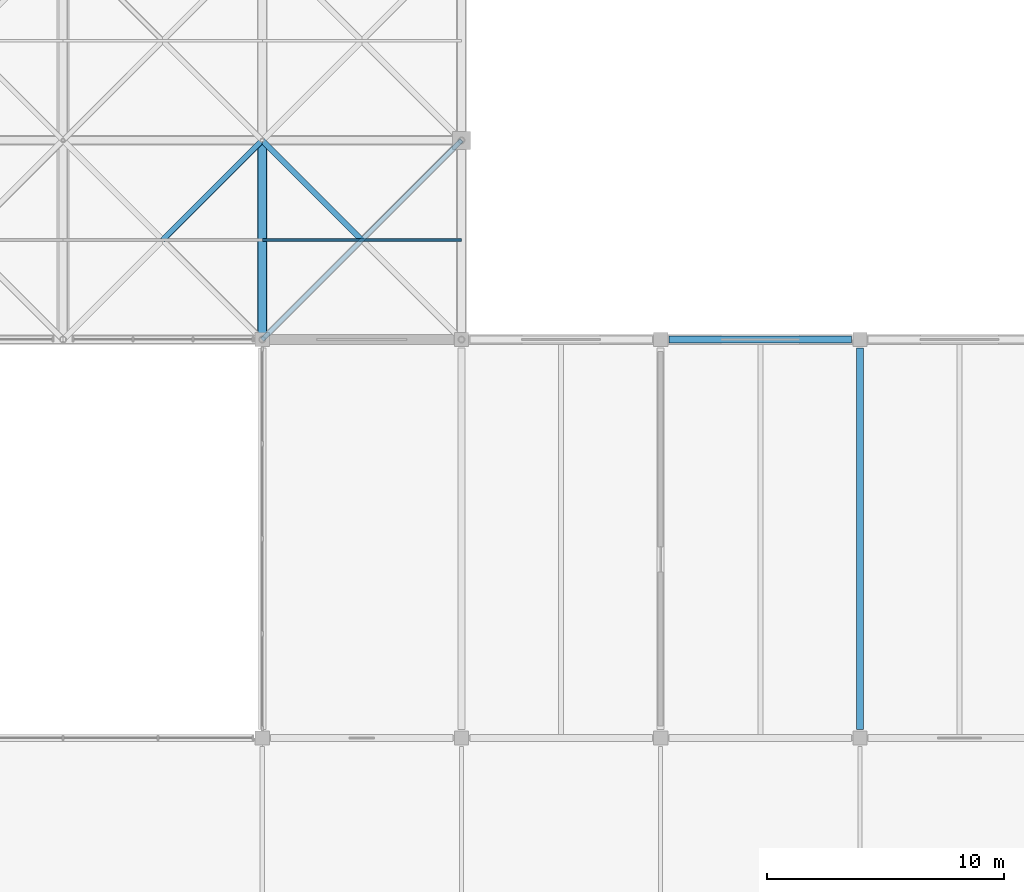
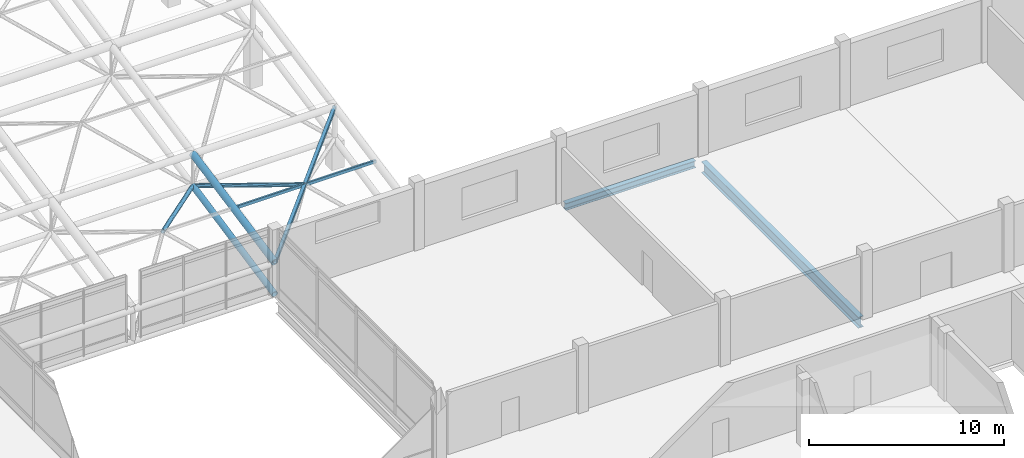
# One storey, part 23 of 81: 6 members, 2 beams.
"""IFC4 building model written with IfcOpenShell, lengths in metres."""

import ifcopenshell
import ifcopenshell.guid

model = None  # the IFC model being written
_history = None  # IfcOwnerHistory: only IFC2X3 demands one
_inside = {}  # id of a spatial element -> (the spatial element, [elements in it])
_under = {}  # id of a project, library or spatial element -> (it, [spatial elements below it])
_declared = {}  # id of a project -> (the project, [libraries it declares])
_typed = {}  # id of a type object -> (the type object, [elements of that type])
_made_of = {}  # id of a material, layer set ... -> (it, [elements and type objects made of it])


def new_model(schema):
    """Start an empty IFC model of exactly this schema.

    Asked for "IFC4X3", IfcOpenShell would pick the latest addendum, in which some entities
    have other attributes; the version numbers below select the first issue.
    IFC2X3 requires an IfcOwnerHistory on every rooted entity: one is made here for all.
    """
    global model, _history
    if schema == "IFC4X3":
        model = ifcopenshell.file(schema_version=(4, 3, 0, 0))
    else:
        model = ifcopenshell.file(schema=schema)
    _inside.clear()
    _under.clear()
    _declared.clear()
    _typed.clear()
    _made_of.clear()
    _history = None
    if model.schema == "IFC2X3":
        org = make("IfcOrganization", Name="unknown")
        user = make(
            "IfcPersonAndOrganization",
            ThePerson=make("IfcPerson", FamilyName="unknown"),
            TheOrganization=org,
        )
        app = make(
            "IfcApplication",
            ApplicationDeveloper=org,
            Version="unknown",
            ApplicationFullName="unknown",
            ApplicationIdentifier="unknown",
        )
        _history = make(
            "IfcOwnerHistory",
            OwningUser=user,
            OwningApplication=app,
            ChangeAction="ADDED",
            CreationDate=0,
        )
    return model


def make(cls, **values):
    """One entity of the class cls with the attributes given. An attribute that is None is left unset."""
    return model.create_entity(
        cls, **{name: value for name, value in values.items() if value is not None}
    )


def rooted(cls, **values):
    """An entity with a GlobalId (a new one), such as an element, a storey or a relation."""
    return make(cls, GlobalId=ifcopenshell.guid.new(), OwnerHistory=_history, **values)


def si_unit(unit_type, name, prefix=None):
    """IfcSIUnit, for example si_unit("LENGTHUNIT", "METRE", prefix="MILLI")."""
    return make("IfcSIUnit", UnitType=unit_type, Prefix=prefix, Name=name)


def assignment(units):
    """IfcUnitAssignment: the units of a project."""
    return None if units is None else make("IfcUnitAssignment", Units=units)


def point(xyz):
    """IfcCartesianPoint."""
    return None if xyz is None else make("IfcCartesianPoint", Coordinates=xyz)


def direction(xyz):
    """IfcDirection."""
    return None if xyz is None else make("IfcDirection", DirectionRatios=xyz)


def frame(location, z_axis=None, x_axis=None):
    """IfcAxis2Placement3D, a coordinate frame: its origin and axes. An axis left out is left unset."""
    return make(
        "IfcAxis2Placement3D",
        Location=point(location),
        Axis=direction(z_axis),
        RefDirection=direction(x_axis),
    )


def frame_2d(location, x_axis=None):
    """IfcAxis2Placement2D, a coordinate frame in the plane: its origin and x axis."""
    return make(
        "IfcAxis2Placement2D", Location=point(location), RefDirection=direction(x_axis)
    )


def origin():
    """The frame at (0, 0, 0) with its axes left unset."""
    return frame((0.0, 0.0, 0.0))


def origin_2d():
    """The frame at (0, 0) in the plane with its x axis left unset."""
    return frame_2d((0.0, 0.0))


def place(relative_to, where):
    """IfcLocalPlacement: puts the frame where relative to a parent placement (None: the world)."""
    return make(
        "IfcLocalPlacement", PlacementRelTo=relative_to, RelativePlacement=where
    )


def context(
    kind, dimensions, precision=None, world=None, true_north=None, identifier=None
):
    """IfcGeometricRepresentationContext, for example the 3D "Model" context."""
    return make(
        "IfcGeometricRepresentationContext",
        ContextIdentifier=identifier,
        ContextType=kind,
        CoordinateSpaceDimension=dimensions,
        Precision=precision,
        WorldCoordinateSystem=world,
        TrueNorth=true_north,
    )


def subcontext(parent, identifier, kind, view, scale=None):
    """IfcGeometricRepresentationSubContext, for example "Body" below "Model"."""
    return make(
        "IfcGeometricRepresentationSubContext",
        ContextIdentifier=identifier,
        ContextType=kind,
        ParentContext=parent,
        TargetScale=scale,
        TargetView=view,
    )


def project(units=None, contexts=None):
    """IfcProject with its units and contexts."""
    return rooted(
        "IfcProject",
        Name="project",
        RepresentationContexts=contexts,
        UnitsInContext=assignment(units),
    )


def spatial(cls, under=None, at=None, **own):
    """A site, building, storey or space (cls), placed at a placement, below another one or the project."""
    s = rooted(cls, ObjectPlacement=at, **own)
    if under is not None:
        _under.setdefault(under.id(), (under, []))[1].append(s)
    return s


def profile(cls, at=None, kind="AREA", **sizes):
    """A parametric profile (cls). Its sizes go by their IFC names, for example OverallWidth=200.0."""
    return make(cls, ProfileType=kind, Position=at, **sizes)


def hollow_rectangle(**sizes):
    """IfcRectangleHollowProfileDef."""
    return profile("IfcRectangleHollowProfileDef", **sizes)


def hollow_circle(**sizes):
    """IfcCircleHollowProfileDef."""
    return profile("IfcCircleHollowProfileDef", **sizes)


def i_section(**sizes):
    """IfcIShapeProfileDef."""
    return profile("IfcIShapeProfileDef", **sizes)


def extrude(swept, where, along, depth):
    """IfcExtrudedAreaSolid: the profile swept, set in the frame where, extruded along a direction by depth."""
    return make(
        "IfcExtrudedAreaSolid",
        SweptArea=swept,
        Position=where,
        ExtrudedDirection=direction(along),
        Depth=depth,
    )


def shape(context_of_items, identifier, shape_type, items):
    """IfcShapeRepresentation: the items that make up one representation, for example the "Body"."""
    return make(
        "IfcShapeRepresentation",
        ContextOfItems=context_of_items,
        RepresentationIdentifier=identifier,
        RepresentationType=shape_type,
        Items=items,
    )


def material(Name=None, Category=None):
    """IfcMaterial."""
    return make("IfcMaterial", Name=Name, Category=Category)


def material_profile(
    of_material, cross_section, Name=None, Category=None, Priority=None
):
    """IfcMaterialProfile: a cross section and its material."""
    return make(
        "IfcMaterialProfile",
        Name=Name,
        Material=of_material,
        Profile=cross_section,
        Priority=Priority,
        Category=Category,
    )


def profile_set(profiles, Name=None, composite=None):
    """IfcMaterialProfileSet."""
    return make(
        "IfcMaterialProfileSet",
        Name=Name,
        MaterialProfiles=profiles,
        CompositeProfile=composite,
    )


def made_of(thing, what):
    """Note that an element or type object is made of a material, layer set ...; save() writes the relation."""
    if what is not None:
        _made_of.setdefault(what.id(), (what, []))[1].append(thing)
    return thing


def type_object(cls, material=None, **own):
    """A type object (cls), such as IfcWallType, which elements share."""
    return made_of(rooted(cls, **own), material)


def element(
    cls,
    number,
    at=None,
    inside=None,
    cuts=None,
    type_object=None,
    material=None,
    context=None,
    identifier="Body",
    shape_type=None,
    held_by="IfcProductDefinitionShape",
    body=None,
    shapes=None,
    **own,
):
    """One element of the class cls, such as IfcWall. Its Tag is "e" and its number.

    at: its placement. inside: the storey or other place that contains it. cuts: it is an
    opening in that element (IfcRelVoidsElement). A single representation is given by context,
    identifier, shape_type and body (its items); several are given by shapes. held_by: the class
    of the entity that holds the representations. save() writes the other relations.
    """
    e = rooted(cls, Tag="e%d" % number, ObjectPlacement=at, **own)
    if body is not None:
        shapes = [shape(context, identifier, shape_type, body)]
    if shapes is not None:
        e.Representation = make(held_by, Representations=shapes)
    if inside is not None:
        _inside.setdefault(inside.id(), (inside, []))[1].append(e)
    if cuts is not None:
        rooted(
            "IfcRelVoidsElement", RelatingBuildingElement=cuts, RelatedOpeningElement=e
        )
    if type_object is not None:
        _typed.setdefault(type_object.id(), (type_object, []))[1].append(e)
    return made_of(e, material)


def aggregate(whole, parts):
    """IfcRelAggregates: a whole, such as a stair, and the parts it consists of."""
    return rooted("IfcRelAggregates", RelatingObject=whole, RelatedObjects=parts)


def save(model, path):
    """Write the relations noted so far, then the file.

    IfcRelAggregates (storeys below a building ...), IfcRelContainedInSpatialStructure (elements
    in a storey), IfcRelDefinesByType, IfcRelAssociatesMaterial and IfcRelDeclares: one each for
    every whole, place, type object, material and project.
    """
    for whole, parts in _under.values():
        aggregate(whole, parts)
    for where, things in _inside.values():
        rooted(
            "IfcRelContainedInSpatialStructure",
            RelatedElements=things,
            RelatingStructure=where,
        )
    for kind, things in _typed.values():
        rooted("IfcRelDefinesByType", RelatedObjects=things, RelatingType=kind)
    for what, things in _made_of.values():
        rooted("IfcRelAssociatesMaterial", RelatedObjects=things, RelatingMaterial=what)
    for by, libraries in _declared.values():
        rooted("IfcRelDeclares", RelatingContext=by, RelatedDefinitions=libraries)
    model.write(path)


model = new_model("IFC4")

# Units and contexts
model_context = context("Model", 3, precision=1e-05, world=origin(), true_north=direction((0.0, 1.0)))
body_context = subcontext(model_context, "Body", "Model", "MODEL_VIEW")
ifc_project = project(units=[si_unit("LENGTHUNIT", "METRE"), si_unit("AREAUNIT", "SQUARE_METRE"), si_unit("VOLUMEUNIT", "CUBIC_METRE"), si_unit("PLANEANGLEUNIT", "RADIAN"), si_unit("MASSUNIT", "GRAM", prefix="KILO")], contexts=[model_context])

# Site, building, storey
site_placement = place(None, origin())
site = spatial("IfcSite", under=ifc_project, at=site_placement, CompositionType="ELEMENT")
building_placement = place(site_placement, origin())
building = spatial("IfcBuilding", under=site, at=building_placement, Name="Qawsi Khor Wholesale Market", CompositionType="ELEMENT")
storey_placement = place(building_placement, frame((0.0, 0.0, 16.199951171875)))
storey = spatial("IfcBuildingStorey", under=building, at=storey_placement, Name="L03", CompositionType="ELEMENT", Elevation=16.199951171875)

# Beams
ifc_material = material(Name="Steel S355", Category="steel")
ifc_material_profile_1 = material_profile(ifc_material, i_section(OverallWidth=0.300048828125, OverallDepth=0.43994140625, WebThickness=0.011474609375, FlangeThickness=0.02099609375, FilletRadius=0.027099609375, at=origin_2d()), Name="HEA 450")
ifc_profile_set_1 = profile_set([ifc_material_profile_1], Name="Steel S355")
beam_type_1 = type_object("IfcBeamType", Name="Primary Girder HEA 450", PredefinedType="BEAM", material=ifc_profile_set_1)
beam_1_placement = place(storey_placement, frame((84.35009765625, 42.0, -0.5), z_axis=(1.0, 0.0, 0.0), x_axis=(0.0, 1.0, 0.0)))
element("IfcBeam", 1, at=beam_1_placement, inside=storey, type_object=beam_type_1, Name="BM-X-L03-10_+05", PredefinedType="BEAM", context=body_context, shape_type="SweptSolid", body=[
    extrude(i_section(OverallWidth=0.300048828125, OverallDepth=0.43994140625, WebThickness=0.011474609375, FlangeThickness=0.02099609375, FilletRadius=0.027099609375, at=origin_2d()), origin(), (0.0, 0.0, 1.0), 7.699951171875),
])
ifc_material_profile_2 = material_profile(ifc_material, i_section(OverallWidth=0.300048828125, OverallDepth=0.68994140625, WebThickness=0.014404296875, FlangeThickness=0.027099609375, FilletRadius=0.027099609375, at=origin_2d()), Name="HEA 700")
ifc_profile_set_2 = profile_set([ifc_material_profile_2], Name="Steel S355")
beam_type_2 = type_object("IfcBeamType", Name="Primary Girder HEA 700", PredefinedType="BEAM", material=ifc_profile_set_2)
beam_2_placement = place(storey_placement, frame((92.39990234375, 25.550048828125, -0.625), z_axis=(0.0, 1.0, 0.0), x_axis=(-1.0, 0.0, 0.0)))
element("IfcBeam", 2, at=beam_2_placement, inside=storey, type_object=beam_type_2, Name="BM-YL-L03-11_+03", PredefinedType="BEAM", context=body_context, shape_type="SweptSolid", body=[
    extrude(i_section(OverallWidth=0.300048828125, OverallDepth=0.68994140625, WebThickness=0.014404296875, FlangeThickness=0.027099609375, FilletRadius=0.027099609375, at=origin_2d()), origin(), (0.0, 0.0, 1.0), 16.099853515625),
])

# Members
ifc_material_profile_3 = material_profile(ifc_material, hollow_rectangle(XDim=0.199951171875, YDim=0.199951171875, WallThickness=0.010009765625, InnerFilletRadius=0.010009765625, OuterFilletRadius=0.02001953125, at=origin_2d()), Name="SHS 200x200x10.0")
ifc_profile_set_3 = profile_set([ifc_material_profile_3], Name="Steel S355")
member_type_1 = type_object("IfcMemberType", Name="Roof Plan Brace SHS 200x200x10.0", PredefinedType="BRACE", material=ifc_profile_set_3)
member_1_placement = place(storey_placement, frame((67.199951171875, 42.0, 1.969970703125), z_axis=(0.699984294635, 0.699963950394, 0.14167729322), x_axis=(-0.707096505339, 0.707117056885, 0.0)))
element("IfcMember", 3, at=member_1_placement, inside=storey, type_object=member_type_1, Name="Space frame plan brace WH (8,5)", PredefinedType="BRACE", context=body_context, shape_type="SweptSolid", body=[
    extrude(hollow_rectangle(XDim=0.199951171875, YDim=0.199951171875, WallThickness=0.010009765625, InnerFilletRadius=0.010009765625, OuterFilletRadius=0.02001953125, at=origin_2d()), origin(), (0.0, 0.0, 1.0), 12.00048828125),
])
ifc_material_profile_4 = material_profile(ifc_material, hollow_circle(Radius=0.177734375, WallThickness=0.01611328125, at=origin_2d()), Name="CHS 355.6x16.0")
ifc_profile_set_4 = profile_set([ifc_material_profile_4], Name="Steel S355")
member_type_2 = type_object("IfcMemberType", Name="Space-Frame Bottom Chord CHS 355.6x16.0", PredefinedType="CHORD", material=ifc_profile_set_4)
member_2_placement = place(storey_placement, frame((67.199951171875, 42.0, -0.030029296875), z_axis=(0.0, 0.9801244518, 0.198383615716), x_axis=(-1.0, 0.0, 0.0)))
element("IfcMember", 4, at=member_2_placement, inside=storey, type_object=member_type_2, Name="Space frame bottom chord Y WH (8,5)", PredefinedType="CHORD", context=body_context, shape_type="SweptSolid", body=[
    extrude(hollow_circle(Radius=0.177734375, WallThickness=0.01611328125, at=origin_2d()), origin(), (0.0, 0.0, 1.0), 8.5703125),
])
ifc_material_profile_5 = material_profile(ifc_material, hollow_circle(Radius=0.122314453125, WallThickness=0.012451171875, at=origin_2d()), Name="CHS 244.5x12.5")
ifc_profile_set_5 = profile_set([ifc_material_profile_5], Name="Steel S355")
member_type_3 = type_object("IfcMemberType", Name="Space-Frame Heavy Diagonal CHS 244.5x12.5", PredefinedType="POST", material=ifc_profile_set_5)
for number, where, z_axis, x_axis, name in (
    (5, (67.199951171875, 50.39990234375, 1.670166015625), (-0.694216714393, -0.694216714393, 0.190069216113), (0.707106781187, -0.707106781187, 0.0), "Space frame diagonal WH (7,5)-3"),
    (6, (67.199951171875, 50.39990234375, 1.670166015625), (0.694216714393, -0.694216714393, 0.190069216113), (0.707106781187, 0.707106781187, 0.0), "Space frame diagonal WH (8,5)-4"),
):
    element("IfcMember", number, at=place(storey_placement, frame(where, z_axis=z_axis, x_axis=x_axis)), inside=storey, type_object=member_type_3, Name=name, PredefinedType="POST", context=body_context, shape_type="SweptSolid", body=[
        extrude(hollow_circle(Radius=0.122314453125, WallThickness=0.012451171875, at=origin_2d()), origin(), (0.0, 0.0, 1.0), 6.0498046875),
    ])
ifc_material_profile_6 = material_profile(ifc_material, hollow_rectangle(XDim=0.1201171875, YDim=0.199951171875, WallThickness=0.008056640625, InnerFilletRadius=0.008056640625, OuterFilletRadius=0.01611328125, at=origin_2d()), Name="RHS 200x120x8.0")
ifc_profile_set_6 = profile_set([ifc_material_profile_6], Name="Steel S355")
member_type_4 = type_object("IfcMemberType", Name="Space-Frame Heavy Purlin RHS 200x120x8.0", PredefinedType="PURLIN", material=ifc_profile_set_6)
member_3_placement = place(storey_placement, frame((67.199951171875, 46.199951171875, 2.820068359375), z_axis=(1.0, 0.0, 0.0), x_axis=(0.0, 1.0, 0.0)))
element("IfcMember", 7, at=member_3_placement, inside=storey, type_object=member_type_4, Name="Space frame purlin WH (8,5)", PredefinedType="PURLIN", context=body_context, shape_type="SweptSolid", body=[
    extrude(hollow_rectangle(XDim=0.1201171875, YDim=0.199951171875, WallThickness=0.008056640625, InnerFilletRadius=0.008056640625, OuterFilletRadius=0.01611328125, at=origin_2d()), origin(), (0.0, 0.0, 1.0), 8.400146484375),
])
ifc_material_profile_7 = material_profile(ifc_material, hollow_circle(Radius=0.203125, WallThickness=0.02001953125, at=origin_2d()), Name="CHS 406.4x20.0")
ifc_profile_set_7 = profile_set([ifc_material_profile_7], Name="Steel S355")
member_type_5 = type_object("IfcMemberType", Name="Space-Frame Top Chord CHS 406.4x20.0", PredefinedType="CHORD", material=ifc_profile_set_7)
member_4_placement = place(storey_placement, frame((67.199951171875, 42.0, 1.969970703125), z_axis=(0.0, 0.9801244518, 0.198383615716), x_axis=(-1.0, 0.0, 0.0)))
element("IfcMember", 8, at=member_4_placement, inside=storey, type_object=member_type_5, Name="Space frame top chord Y WH (8,5)", PredefinedType="CHORD", context=body_context, shape_type="SweptSolid", body=[
    extrude(hollow_circle(Radius=0.203125, WallThickness=0.02001953125, at=origin_2d()), origin(), (0.0, 0.0, 1.0), 8.5703125),
])

save(model, "model.ifc")
